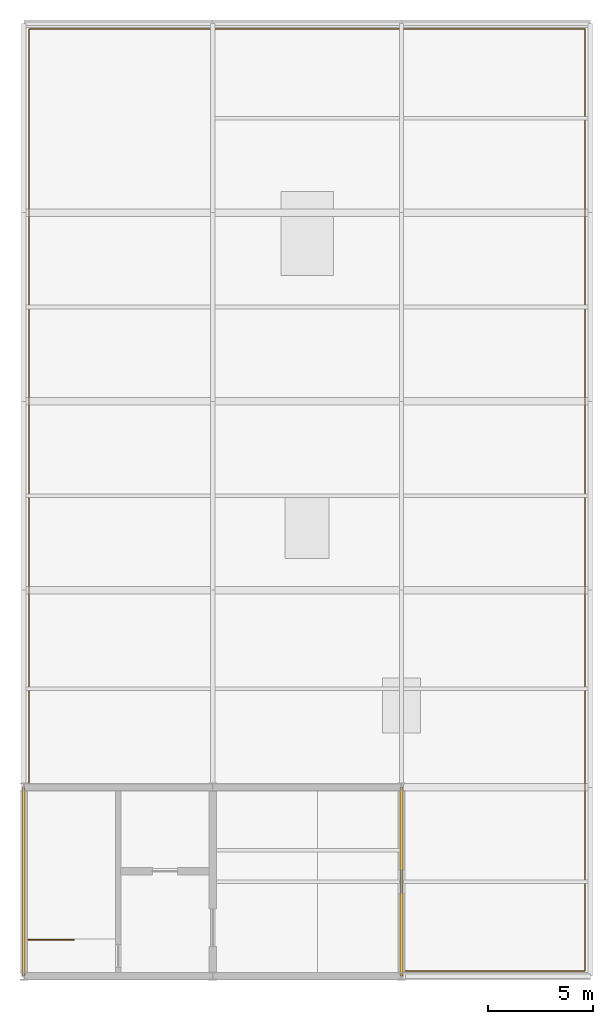
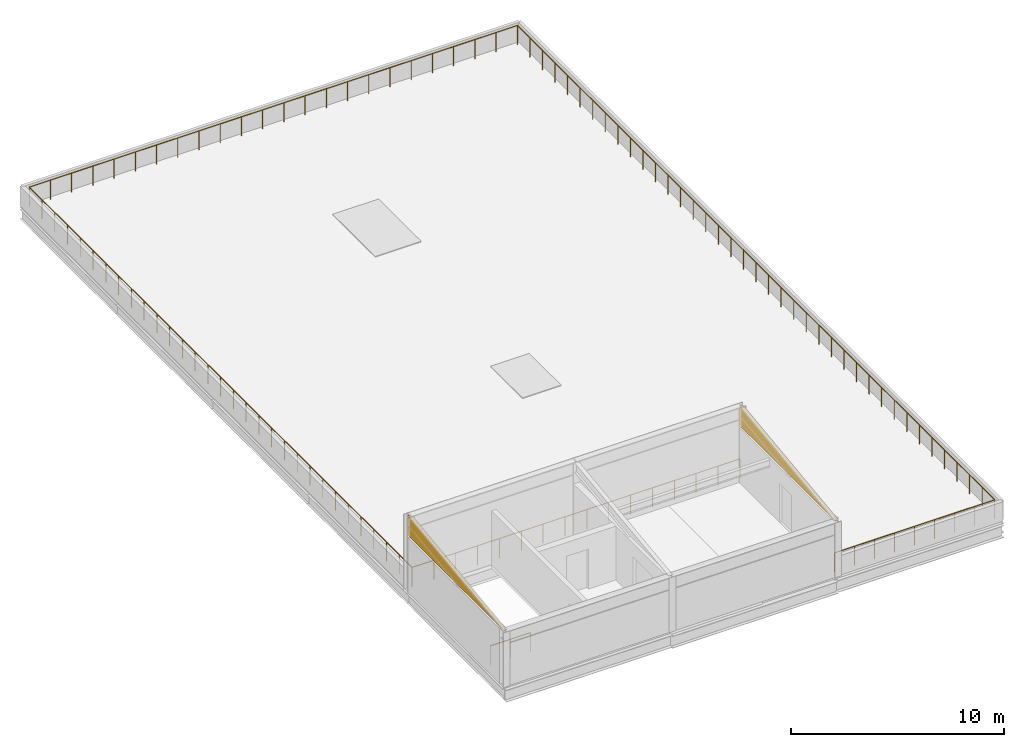
# One storey, part 3 of 3: 2 coverings, 2 railings.
"""IFC4 building model written with IfcOpenShell, lengths in metres."""

from ifc_helpers import new_model, si_unit, direction, frame, origin, origin_2d, place, context, subcontext, project, spatial, polyline, circle, outline, extrude, material, type_object, element, save


model = new_model("IFC4")

# Units and contexts
model_context = context("Model", 3, precision=1e-05, world=origin(), true_north=direction((0.0, 1.0)))
body_context = subcontext(model_context, "Body", "Model", "MODEL_VIEW")
ifc_project = project(units=[si_unit("LENGTHUNIT", "METRE"), si_unit("AREAUNIT", "SQUARE_METRE"), si_unit("VOLUMEUNIT", "CUBIC_METRE"), si_unit("PLANEANGLEUNIT", "RADIAN"), si_unit("MASSUNIT", "GRAM", prefix="KILO")], contexts=[model_context])

# Site, building, storey
site_placement = place(None, origin())
site = spatial("IfcSite", under=ifc_project, at=site_placement, CompositionType="ELEMENT")
building_placement = place(site_placement, origin())
building = spatial("IfcBuilding", under=site, at=building_placement, Name="Cazmaro Siding Exhibition Halls", CompositionType="ELEMENT")
storey_placement = place(building_placement, frame((0.0, 0.0, 25.5)))
storey = spatial("IfcBuildingStorey", under=building, at=storey_placement, Name="RF", CompositionType="ELEMENT", Elevation=25.5)

# Railings
ifc_material_1 = material(Name="Laminated Glass and Brushed Stainless Steel Balustrade", Category="steel")
railing_type_1 = type_object("IfcRailingType", Name="RL-BAL-01", PredefinedType="BALUSTRADE", material=ifc_material_1)
railing_1_placement = place(storey_placement, frame((18.050048828125, 54.85009765625, 0.0)))
element("IfcRailing", 1, at=railing_1_placement, inside=storey, type_object=railing_type_1, Name="Rooftop Maintenance Walkway Guard RL-BAL-01 RL-G001", PredefinedType="BALUSTRADE", context=body_context, shape_type="SweptSolid", body=[
    extrude(circle(Radius=0.02392578125, at=origin_2d()), frame((0.0, 0.0, 1.09619140625), z_axis=(1.0, 0.0, 0.0), x_axis=(0.0, 1.0, 0.0)), (0.0, 0.0, 1.0), 8.699951171875),
    extrude(circle(Radius=0.02392578125, at=origin_2d()), frame((8.699951171875, 0.0, 1.09619140625), z_axis=(0.0, 1.0, 0.0), x_axis=(-1.0, 0.0, 0.0)), (0.0, 0.0, 1.0), 44.89990234375),
    extrude(circle(Radius=0.02392578125, at=origin_2d()), frame((8.699951171875, 44.89990234375, 1.09619140625), z_axis=(-1.0, 0.0, 0.0), x_axis=(0.0, -1.0, 0.0)), (0.0, 0.0, 1.0), 26.5),
    extrude(circle(Radius=0.02392578125, at=origin_2d()), frame((-17.800048828125, 44.89990234375, 1.09619140625), z_axis=(0.0, -1.0, 0.0), x_axis=(1.0, 0.0, 0.0)), (0.0, 0.0, 1.0), 36.0),
    extrude(circle(Radius=0.02392578125, at=origin_2d()), frame((-17.800048828125, 8.89990234375, 1.09619140625), z_axis=(1.0, 0.0, 0.0), x_axis=(0.0, 1.0, 0.0)), (0.0, 0.0, 1.0), 17.800048828125),
    extrude(circle(Radius=0.02099609375, at=origin_2d()), origin(), (0.0, 0.0, 1.0), 1.072021484375),
    extrude(circle(Radius=0.02099609375, at=origin_2d()), frame((1.08740234375, 0.0, 0.0)), (0.0, 0.0, 1.0), 1.072021484375),
    extrude(circle(Radius=0.02099609375, at=origin_2d()), frame((2.175048828125, 0.0, 0.0)), (0.0, 0.0, 1.0), 1.072021484375),
    extrude(circle(Radius=0.02099609375, at=origin_2d()), frame((3.262451171875, 0.0, 0.0)), (0.0, 0.0, 1.0), 1.072021484375),
    extrude(circle(Radius=0.02099609375, at=origin_2d()), frame((4.35009765625, 0.0, 0.0)), (0.0, 0.0, 1.0), 1.072021484375),
    extrude(circle(Radius=0.02099609375, at=origin_2d()), frame((5.4375, 0.0, 0.0)), (0.0, 0.0, 1.0), 1.072021484375),
    extrude(circle(Radius=0.02099609375, at=origin_2d()), frame((6.52490234375, 0.0, 0.0)), (0.0, 0.0, 1.0), 1.072021484375),
    extrude(circle(Radius=0.02099609375, at=origin_2d()), frame((7.612548828125, 0.0, 0.0)), (0.0, 0.0, 1.0), 1.072021484375),
    extrude(circle(Radius=0.02099609375, at=origin_2d()), frame((8.699951171875, 0.0, 0.0)), (0.0, 0.0, 1.0), 1.072021484375),
    extrude(circle(Radius=0.02099609375, at=origin_2d()), frame((8.699951171875, 1.181640625, 0.0)), (0.0, 0.0, 1.0), 1.072021484375),
    extrude(circle(Radius=0.02099609375, at=origin_2d()), frame((8.699951171875, 2.363037109375, 0.0)), (0.0, 0.0, 1.0), 1.072021484375),
    extrude(circle(Radius=0.02099609375, at=origin_2d()), frame((8.699951171875, 3.544677734375, 0.0)), (0.0, 0.0, 1.0), 1.072021484375),
    extrude(circle(Radius=0.02099609375, at=origin_2d()), frame((8.699951171875, 4.726318359375, 0.0)), (0.0, 0.0, 1.0), 1.072021484375),
    extrude(circle(Radius=0.02099609375, at=origin_2d()), frame((8.699951171875, 5.907958984375, 0.0)), (0.0, 0.0, 1.0), 1.072021484375),
    extrude(circle(Radius=0.02099609375, at=origin_2d()), frame((8.699951171875, 7.08935546875, 0.0)), (0.0, 0.0, 1.0), 1.072021484375),
    extrude(circle(Radius=0.02099609375, at=origin_2d()), frame((8.699951171875, 8.27099609375, 0.0)), (0.0, 0.0, 1.0), 1.072021484375),
    extrude(circle(Radius=0.02099609375, at=origin_2d()), frame((8.699951171875, 9.45263671875, 0.0)), (0.0, 0.0, 1.0), 1.072021484375),
    extrude(circle(Radius=0.02099609375, at=origin_2d()), frame((8.699951171875, 10.63427734375, 0.0)), (0.0, 0.0, 1.0), 1.072021484375),
    extrude(circle(Radius=0.02099609375, at=origin_2d()), frame((8.699951171875, 11.815673828125, 0.0)), (0.0, 0.0, 1.0), 1.072021484375),
    extrude(circle(Radius=0.02099609375, at=origin_2d()), frame((8.699951171875, 12.997314453125, 0.0)), (0.0, 0.0, 1.0), 1.072021484375),
    extrude(circle(Radius=0.02099609375, at=origin_2d()), frame((8.699951171875, 14.178955078125, 0.0)), (0.0, 0.0, 1.0), 1.072021484375),
    extrude(circle(Radius=0.02099609375, at=origin_2d()), frame((8.699951171875, 15.360595703125, 0.0)), (0.0, 0.0, 1.0), 1.072021484375),
    extrude(circle(Radius=0.02099609375, at=origin_2d()), frame((8.699951171875, 16.5419921875, 0.0)), (0.0, 0.0, 1.0), 1.072021484375),
    extrude(circle(Radius=0.02099609375, at=origin_2d()), frame((8.699951171875, 17.7236328125, 0.0)), (0.0, 0.0, 1.0), 1.072021484375),
    extrude(circle(Radius=0.02099609375, at=origin_2d()), frame((8.699951171875, 18.9052734375, 0.0)), (0.0, 0.0, 1.0), 1.072021484375),
    extrude(circle(Radius=0.02099609375, at=origin_2d()), frame((8.699951171875, 20.0869140625, 0.0)), (0.0, 0.0, 1.0), 1.072021484375),
    extrude(circle(Radius=0.02099609375, at=origin_2d()), frame((8.699951171875, 21.268310546875, 0.0)), (0.0, 0.0, 1.0), 1.072021484375),
    extrude(circle(Radius=0.02099609375, at=origin_2d()), frame((8.699951171875, 22.449951171875, 0.0)), (0.0, 0.0, 1.0), 1.072021484375),
    extrude(circle(Radius=0.02099609375, at=origin_2d()), frame((8.699951171875, 23.631591796875, 0.0)), (0.0, 0.0, 1.0), 1.072021484375),
    extrude(circle(Radius=0.02099609375, at=origin_2d()), frame((8.699951171875, 24.81298828125, 0.0)), (0.0, 0.0, 1.0), 1.072021484375),
    extrude(circle(Radius=0.02099609375, at=origin_2d()), frame((8.699951171875, 25.99462890625, 0.0)), (0.0, 0.0, 1.0), 1.072021484375),
    extrude(circle(Radius=0.02099609375, at=origin_2d()), frame((8.699951171875, 27.17626953125, 0.0)), (0.0, 0.0, 1.0), 1.072021484375),
    extrude(circle(Radius=0.02099609375, at=origin_2d()), frame((8.699951171875, 28.35791015625, 0.0)), (0.0, 0.0, 1.0), 1.072021484375),
    extrude(circle(Radius=0.02099609375, at=origin_2d()), frame((8.699951171875, 29.539306640625, 0.0)), (0.0, 0.0, 1.0), 1.072021484375),
    extrude(circle(Radius=0.02099609375, at=origin_2d()), frame((8.699951171875, 30.720947265625, 0.0)), (0.0, 0.0, 1.0), 1.072021484375),
    extrude(circle(Radius=0.02099609375, at=origin_2d()), frame((8.699951171875, 31.902587890625, 0.0)), (0.0, 0.0, 1.0), 1.072021484375),
    extrude(circle(Radius=0.02099609375, at=origin_2d()), frame((8.699951171875, 33.084228515625, 0.0)), (0.0, 0.0, 1.0), 1.072021484375),
    extrude(circle(Radius=0.02099609375, at=origin_2d()), frame((8.699951171875, 34.265625, 0.0)), (0.0, 0.0, 1.0), 1.072021484375),
    extrude(circle(Radius=0.02099609375, at=origin_2d()), frame((8.699951171875, 35.447265625, 0.0)), (0.0, 0.0, 1.0), 1.072021484375),
    extrude(circle(Radius=0.02099609375, at=origin_2d()), frame((8.699951171875, 36.62890625, 0.0)), (0.0, 0.0, 1.0), 1.072021484375),
    extrude(circle(Radius=0.02099609375, at=origin_2d()), frame((8.699951171875, 37.810546875, 0.0)), (0.0, 0.0, 1.0), 1.072021484375),
    extrude(circle(Radius=0.02099609375, at=origin_2d()), frame((8.699951171875, 38.991943359375, 0.0)), (0.0, 0.0, 1.0), 1.072021484375),
    extrude(circle(Radius=0.02099609375, at=origin_2d()), frame((8.699951171875, 40.173583984375, 0.0)), (0.0, 0.0, 1.0), 1.072021484375),
    extrude(circle(Radius=0.02099609375, at=origin_2d()), frame((8.699951171875, 41.355224609375, 0.0)), (0.0, 0.0, 1.0), 1.072021484375),
    extrude(circle(Radius=0.02099609375, at=origin_2d()), frame((8.699951171875, 42.536865234375, 0.0)), (0.0, 0.0, 1.0), 1.072021484375),
    extrude(circle(Radius=0.02099609375, at=origin_2d()), frame((8.699951171875, 43.71826171875, 0.0)), (0.0, 0.0, 1.0), 1.072021484375),
    extrude(circle(Radius=0.02099609375, at=origin_2d()), frame((8.699951171875, 44.89990234375, 0.0)), (0.0, 0.0, 1.0), 1.072021484375),
    extrude(circle(Radius=0.02099609375, at=origin_2d()), frame((7.5478515625, 44.89990234375, 0.0)), (0.0, 0.0, 1.0), 1.072021484375),
    extrude(circle(Radius=0.02099609375, at=origin_2d()), frame((6.3955078125, 44.89990234375, 0.0)), (0.0, 0.0, 1.0), 1.072021484375),
    extrude(circle(Radius=0.02099609375, at=origin_2d()), frame((5.243408203125, 44.89990234375, 0.0)), (0.0, 0.0, 1.0), 1.072021484375),
    extrude(circle(Radius=0.02099609375, at=origin_2d()), frame((4.09130859375, 44.89990234375, 0.0)), (0.0, 0.0, 1.0), 1.072021484375),
    extrude(circle(Radius=0.02099609375, at=origin_2d()), frame((2.93896484375, 44.89990234375, 0.0)), (0.0, 0.0, 1.0), 1.072021484375),
    extrude(circle(Radius=0.02099609375, at=origin_2d()), frame((1.786865234375, 44.89990234375, 0.0)), (0.0, 0.0, 1.0), 1.072021484375),
    extrude(circle(Radius=0.02099609375, at=origin_2d()), frame((0.634765625, 44.89990234375, 0.0)), (0.0, 0.0, 1.0), 1.072021484375),
    extrude(circle(Radius=0.02099609375, at=origin_2d()), frame((-0.517333984375, 44.89990234375, 0.0)), (0.0, 0.0, 1.0), 1.072021484375),
    extrude(circle(Radius=0.02099609375, at=origin_2d()), frame((-1.669677734375, 44.89990234375, 0.0)), (0.0, 0.0, 1.0), 1.072021484375),
    extrude(circle(Radius=0.02099609375, at=origin_2d()), frame((-2.82177734375, 44.89990234375, 0.0)), (0.0, 0.0, 1.0), 1.072021484375),
    extrude(circle(Radius=0.02099609375, at=origin_2d()), frame((-3.973876953125, 44.89990234375, 0.0)), (0.0, 0.0, 1.0), 1.072021484375),
    extrude(circle(Radius=0.02099609375, at=origin_2d()), frame((-5.126220703125, 44.89990234375, 0.0)), (0.0, 0.0, 1.0), 1.072021484375),
    extrude(circle(Radius=0.02099609375, at=origin_2d()), frame((-6.2783203125, 44.89990234375, 0.0)), (0.0, 0.0, 1.0), 1.072021484375),
    extrude(circle(Radius=0.02099609375, at=origin_2d()), frame((-7.430419921875, 44.89990234375, 0.0)), (0.0, 0.0, 1.0), 1.072021484375),
    extrude(circle(Radius=0.02099609375, at=origin_2d()), frame((-8.582763671875, 44.89990234375, 0.0)), (0.0, 0.0, 1.0), 1.072021484375),
    extrude(circle(Radius=0.02099609375, at=origin_2d()), frame((-9.73486328125, 44.89990234375, 0.0)), (0.0, 0.0, 1.0), 1.072021484375),
    extrude(circle(Radius=0.02099609375, at=origin_2d()), frame((-10.886962890625, 44.89990234375, 0.0)), (0.0, 0.0, 1.0), 1.072021484375),
    extrude(circle(Radius=0.02099609375, at=origin_2d()), frame((-12.0390625, 44.89990234375, 0.0)), (0.0, 0.0, 1.0), 1.072021484375),
    extrude(circle(Radius=0.02099609375, at=origin_2d()), frame((-13.19140625, 44.89990234375, 0.0)), (0.0, 0.0, 1.0), 1.072021484375),
    extrude(circle(Radius=0.02099609375, at=origin_2d()), frame((-14.343505859375, 44.89990234375, 0.0)), (0.0, 0.0, 1.0), 1.072021484375),
    extrude(circle(Radius=0.02099609375, at=origin_2d()), frame((-15.49560546875, 44.89990234375, 0.0)), (0.0, 0.0, 1.0), 1.072021484375),
    extrude(circle(Radius=0.02099609375, at=origin_2d()), frame((-16.64794921875, 44.89990234375, 0.0)), (0.0, 0.0, 1.0), 1.072021484375),
    extrude(circle(Radius=0.02099609375, at=origin_2d()), frame((-17.800048828125, 44.89990234375, 0.0)), (0.0, 0.0, 1.0), 1.072021484375),
    extrude(circle(Radius=0.02099609375, at=origin_2d()), frame((-17.800048828125, 43.699951171875, 0.0)), (0.0, 0.0, 1.0), 1.072021484375),
    extrude(circle(Radius=0.02099609375, at=origin_2d()), frame((-17.800048828125, 42.5, 0.0)), (0.0, 0.0, 1.0), 1.072021484375),
    extrude(circle(Radius=0.02099609375, at=origin_2d()), frame((-17.800048828125, 41.2998046875, 0.0)), (0.0, 0.0, 1.0), 1.072021484375),
    extrude(circle(Radius=0.02099609375, at=origin_2d()), frame((-17.800048828125, 40.099853515625, 0.0)), (0.0, 0.0, 1.0), 1.072021484375),
    extrude(circle(Radius=0.02099609375, at=origin_2d()), frame((-17.800048828125, 38.89990234375, 0.0)), (0.0, 0.0, 1.0), 1.072021484375),
    extrude(circle(Radius=0.02099609375, at=origin_2d()), frame((-17.800048828125, 37.699951171875, 0.0)), (0.0, 0.0, 1.0), 1.072021484375),
    extrude(circle(Radius=0.02099609375, at=origin_2d()), frame((-17.800048828125, 36.5, 0.0)), (0.0, 0.0, 1.0), 1.072021484375),
    extrude(circle(Radius=0.02099609375, at=origin_2d()), frame((-17.800048828125, 35.2998046875, 0.0)), (0.0, 0.0, 1.0), 1.072021484375),
    extrude(circle(Radius=0.02099609375, at=origin_2d()), frame((-17.800048828125, 34.099853515625, 0.0)), (0.0, 0.0, 1.0), 1.072021484375),
    extrude(circle(Radius=0.02099609375, at=origin_2d()), frame((-17.800048828125, 32.89990234375, 0.0)), (0.0, 0.0, 1.0), 1.072021484375),
    extrude(circle(Radius=0.02099609375, at=origin_2d()), frame((-17.800048828125, 31.699951171875, 0.0)), (0.0, 0.0, 1.0), 1.072021484375),
    extrude(circle(Radius=0.02099609375, at=origin_2d()), frame((-17.800048828125, 30.5, 0.0)), (0.0, 0.0, 1.0), 1.072021484375),
    extrude(circle(Radius=0.02099609375, at=origin_2d()), frame((-17.800048828125, 29.2998046875, 0.0)), (0.0, 0.0, 1.0), 1.072021484375),
    extrude(circle(Radius=0.02099609375, at=origin_2d()), frame((-17.800048828125, 28.099853515625, 0.0)), (0.0, 0.0, 1.0), 1.072021484375),
    extrude(circle(Radius=0.02099609375, at=origin_2d()), frame((-17.800048828125, 26.89990234375, 0.0)), (0.0, 0.0, 1.0), 1.072021484375),
    extrude(circle(Radius=0.02099609375, at=origin_2d()), frame((-17.800048828125, 25.699951171875, 0.0)), (0.0, 0.0, 1.0), 1.072021484375),
    extrude(circle(Radius=0.02099609375, at=origin_2d()), frame((-17.800048828125, 24.5, 0.0)), (0.0, 0.0, 1.0), 1.072021484375),
    extrude(circle(Radius=0.02099609375, at=origin_2d()), frame((-17.800048828125, 23.2998046875, 0.0)), (0.0, 0.0, 1.0), 1.072021484375),
    extrude(circle(Radius=0.02099609375, at=origin_2d()), frame((-17.800048828125, 22.099853515625, 0.0)), (0.0, 0.0, 1.0), 1.072021484375),
    extrude(circle(Radius=0.02099609375, at=origin_2d()), frame((-17.800048828125, 20.89990234375, 0.0)), (0.0, 0.0, 1.0), 1.072021484375),
    extrude(circle(Radius=0.02099609375, at=origin_2d()), frame((-17.800048828125, 19.699951171875, 0.0)), (0.0, 0.0, 1.0), 1.072021484375),
    extrude(circle(Radius=0.02099609375, at=origin_2d()), frame((-17.800048828125, 18.5, 0.0)), (0.0, 0.0, 1.0), 1.072021484375),
    extrude(circle(Radius=0.02099609375, at=origin_2d()), frame((-17.800048828125, 17.2998046875, 0.0)), (0.0, 0.0, 1.0), 1.072021484375),
    extrude(circle(Radius=0.02099609375, at=origin_2d()), frame((-17.800048828125, 16.099853515625, 0.0)), (0.0, 0.0, 1.0), 1.072021484375),
    extrude(circle(Radius=0.02099609375, at=origin_2d()), frame((-17.800048828125, 14.89990234375, 0.0)), (0.0, 0.0, 1.0), 1.072021484375),
    extrude(circle(Radius=0.02099609375, at=origin_2d()), frame((-17.800048828125, 13.699951171875, 0.0)), (0.0, 0.0, 1.0), 1.072021484375),
    extrude(circle(Radius=0.02099609375, at=origin_2d()), frame((-17.800048828125, 12.5, 0.0)), (0.0, 0.0, 1.0), 1.072021484375),
    extrude(circle(Radius=0.02099609375, at=origin_2d()), frame((-17.800048828125, 11.2998046875, 0.0)), (0.0, 0.0, 1.0), 1.072021484375),
    extrude(circle(Radius=0.02099609375, at=origin_2d()), frame((-17.800048828125, 10.099853515625, 0.0)), (0.0, 0.0, 1.0), 1.072021484375),
    extrude(circle(Radius=0.02099609375, at=origin_2d()), frame((-17.800048828125, 8.89990234375, 0.0)), (0.0, 0.0, 1.0), 1.072021484375),
    extrude(circle(Radius=0.02099609375, at=origin_2d()), frame((-16.61328125, 8.89990234375, 0.0)), (0.0, 0.0, 1.0), 1.072021484375),
    extrude(circle(Radius=0.02099609375, at=origin_2d()), frame((-15.4267578125, 8.89990234375, 0.0)), (0.0, 0.0, 1.0), 1.072021484375),
    extrude(circle(Radius=0.02099609375, at=origin_2d()), frame((-14.239990234375, 8.89990234375, 0.0)), (0.0, 0.0, 1.0), 1.072021484375),
    extrude(circle(Radius=0.02099609375, at=origin_2d()), frame((-13.053466796875, 8.89990234375, 0.0)), (0.0, 0.0, 1.0), 1.072021484375),
    extrude(circle(Radius=0.02099609375, at=origin_2d()), frame((-11.86669921875, 8.89990234375, 0.0)), (0.0, 0.0, 1.0), 1.072021484375),
    extrude(circle(Radius=0.02099609375, at=origin_2d()), frame((-10.679931640625, 8.89990234375, 0.0)), (0.0, 0.0, 1.0), 1.072021484375),
    extrude(circle(Radius=0.02099609375, at=origin_2d()), frame((-9.493408203125, 8.89990234375, 0.0)), (0.0, 0.0, 1.0), 1.072021484375),
    extrude(circle(Radius=0.02099609375, at=origin_2d()), frame((-8.306640625, 8.89990234375, 0.0)), (0.0, 0.0, 1.0), 1.072021484375),
    extrude(circle(Radius=0.02099609375, at=origin_2d()), frame((-7.1201171875, 8.89990234375, 0.0)), (0.0, 0.0, 1.0), 1.072021484375),
    extrude(circle(Radius=0.02099609375, at=origin_2d()), frame((-5.933349609375, 8.89990234375, 0.0)), (0.0, 0.0, 1.0), 1.072021484375),
    extrude(circle(Radius=0.02099609375, at=origin_2d()), frame((-4.74658203125, 8.89990234375, 0.0)), (0.0, 0.0, 1.0), 1.072021484375),
    extrude(circle(Radius=0.02099609375, at=origin_2d()), frame((-3.56005859375, 8.89990234375, 0.0)), (0.0, 0.0, 1.0), 1.072021484375),
    extrude(circle(Radius=0.02099609375, at=origin_2d()), frame((-2.373291015625, 8.89990234375, 0.0)), (0.0, 0.0, 1.0), 1.072021484375),
    extrude(circle(Radius=0.02099609375, at=origin_2d()), frame((-1.186767578125, 8.89990234375, 0.0)), (0.0, 0.0, 1.0), 1.072021484375),
    extrude(circle(Radius=0.02099609375, at=origin_2d()), frame((0.0, 8.89990234375, 0.0)), (0.0, 0.0, 1.0), 1.072021484375),
])
ifc_material_2 = material(Name="Painted Steel Stairwell Guardrail", Category="steel")
railing_type_2 = type_object("IfcRailingType", Name="RL-GRD-01", PredefinedType="GUARDRAIL", material=ifc_material_2)
railing_2_placement = place(storey_placement, frame((0.215087890625, 56.340087890625, 0.0)))
element("IfcRailing", 2, at=railing_2_placement, inside=storey, type_object=railing_type_2, Name="Core C7 RF Top Stairwell Guard RL-GRD-01 RL-SG034", PredefinedType="GUARDRAIL", context=body_context, shape_type="SweptSolid", body=[
    extrude(circle(Radius=0.02392578125, at=origin_2d()), frame((0.0, 0.0, 1.09619140625), z_axis=(1.0, 0.0, 0.0), x_axis=(0.0, 1.0, 0.0)), (0.0, 0.0, 1.0), 2.1748046875),
    extrude(circle(Radius=0.02099609375, at=origin_2d()), origin(), (0.0, 0.0, 1.0), 1.072021484375),
    extrude(circle(Radius=0.02099609375, at=origin_2d()), frame((1.08740234375, 0.0, 0.0)), (0.0, 0.0, 1.0), 1.072021484375),
    extrude(circle(Radius=0.02099609375, at=origin_2d()), frame((2.1748046875, 0.0, 0.0)), (0.0, 0.0, 1.0), 1.072021484375),
])

# Coverings
ifc_material_3 = material(Name="Insulated Brushed Aluminum Architectural Gable Cladding", Category="aluminium")
covering_type = type_object("IfcCoveringType", Name="COV-CLAD-01", PredefinedType="CLADDING", material=ifc_material_3)
for number, where, z_axis, x_axis, name in (
    (3, (0.0, 54.60009765625, -25.5), (0.0, 0.0, 1.0), (0.0, 1.0, 0.0), "Rooftop Penthouse Rake Cheek Cladding RF-CHEEK-W"),
    (4, (18.0, 54.60009765625, -25.5), (0.0, 0.0, 1.0), (0.0, 1.0, 0.0), "Rooftop Penthouse Rake Cheek Cladding RF-CHEEK-E"),
):
    element("IfcCovering", number, at=place(storey_placement, frame(where, z_axis=z_axis, x_axis=x_axis)), inside=storey, type_object=covering_type, Name=name, PredefinedType="CLADDING", context=body_context, shape_type="SweptSolid", body=[
        extrude(outline(polyline([(0.0, 28.639892578125), (9.0, 28.639892578125), (9.0, 29.7900390625), (0.0, 28.639892578125)])), frame((0.0, 0.06005859375, 0.0), z_axis=(0.0, -1.0, 0.0), x_axis=(1.0, 0.0, 0.0)), (0.0, 0.0, 1.0), 0.1201171875),
    ])

save(model, "model.ifc")
